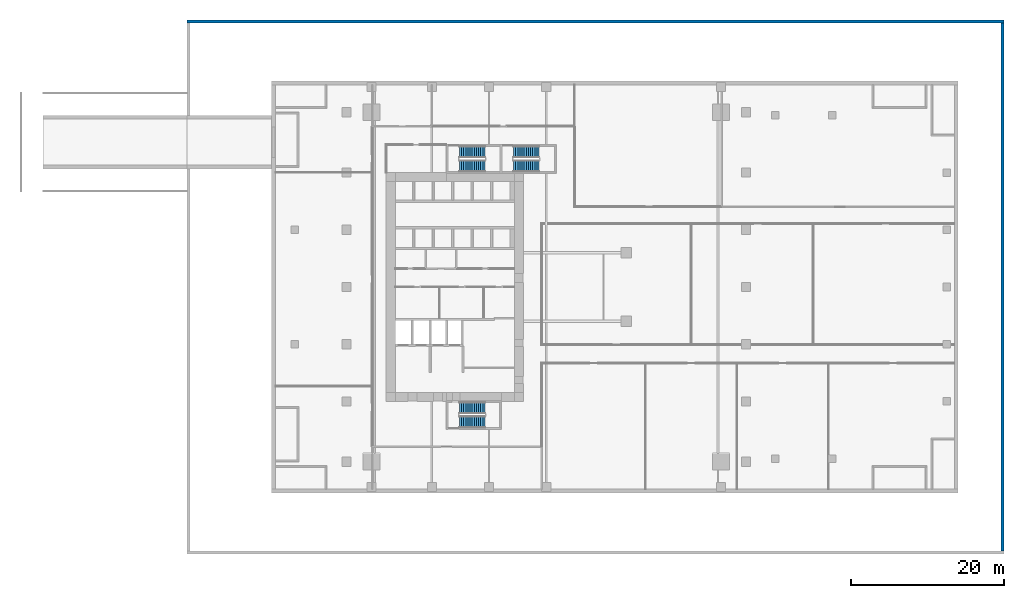
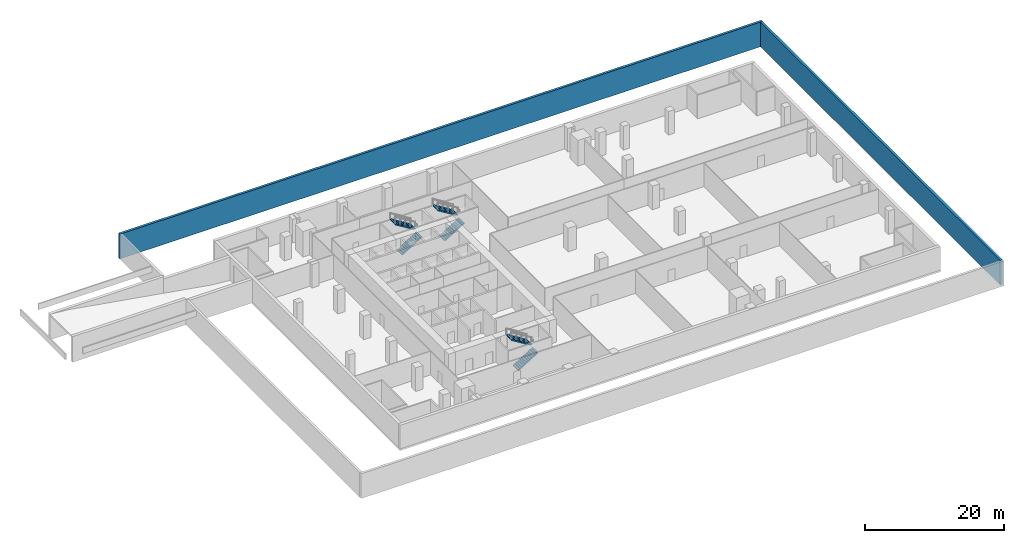
# One storey, part 8 of 11: 6 stair flights, 2 walls, 3 elements without a shape of their own.
"""IFC4 building model written with IfcOpenShell, lengths in metres."""

import ifcopenshell
import ifcopenshell.guid

model = None  # the IFC model being written
_history = None  # IfcOwnerHistory: only IFC2X3 demands one
_inside = {}  # id of a spatial element -> (the spatial element, [elements in it])
_under = {}  # id of a project, library or spatial element -> (it, [spatial elements below it])
_declared = {}  # id of a project -> (the project, [libraries it declares])
_typed = {}  # id of a type object -> (the type object, [elements of that type])
_made_of = {}  # id of a material, layer set ... -> (it, [elements and type objects made of it])


def new_model(schema):
    """Start an empty IFC model of exactly this schema.

    Asked for "IFC4X3", IfcOpenShell would pick the latest addendum, in which some entities
    have other attributes; the version numbers below select the first issue.
    IFC2X3 requires an IfcOwnerHistory on every rooted entity: one is made here for all.
    """
    global model, _history
    if schema == "IFC4X3":
        model = ifcopenshell.file(schema_version=(4, 3, 0, 0))
    else:
        model = ifcopenshell.file(schema=schema)
    _inside.clear()
    _under.clear()
    _declared.clear()
    _typed.clear()
    _made_of.clear()
    _history = None
    if model.schema == "IFC2X3":
        org = make("IfcOrganization", Name="unknown")
        user = make(
            "IfcPersonAndOrganization",
            ThePerson=make("IfcPerson", FamilyName="unknown"),
            TheOrganization=org,
        )
        app = make(
            "IfcApplication",
            ApplicationDeveloper=org,
            Version="unknown",
            ApplicationFullName="unknown",
            ApplicationIdentifier="unknown",
        )
        _history = make(
            "IfcOwnerHistory",
            OwningUser=user,
            OwningApplication=app,
            ChangeAction="ADDED",
            CreationDate=0,
        )
    return model


def make(cls, **values):
    """One entity of the class cls with the attributes given. An attribute that is None is left unset."""
    return model.create_entity(
        cls, **{name: value for name, value in values.items() if value is not None}
    )


def rooted(cls, **values):
    """An entity with a GlobalId (a new one), such as an element, a storey or a relation."""
    return make(cls, GlobalId=ifcopenshell.guid.new(), OwnerHistory=_history, **values)


def si_unit(unit_type, name, prefix=None):
    """IfcSIUnit, for example si_unit("LENGTHUNIT", "METRE", prefix="MILLI")."""
    return make("IfcSIUnit", UnitType=unit_type, Prefix=prefix, Name=name)


def assignment(units):
    """IfcUnitAssignment: the units of a project."""
    return None if units is None else make("IfcUnitAssignment", Units=units)


def point(xyz):
    """IfcCartesianPoint."""
    return None if xyz is None else make("IfcCartesianPoint", Coordinates=xyz)


def direction(xyz):
    """IfcDirection."""
    return None if xyz is None else make("IfcDirection", DirectionRatios=xyz)


def frame(location, z_axis=None, x_axis=None):
    """IfcAxis2Placement3D, a coordinate frame: its origin and axes. An axis left out is left unset."""
    return make(
        "IfcAxis2Placement3D",
        Location=point(location),
        Axis=direction(z_axis),
        RefDirection=direction(x_axis),
    )


def frame_2d(location, x_axis=None):
    """IfcAxis2Placement2D, a coordinate frame in the plane: its origin and x axis."""
    return make(
        "IfcAxis2Placement2D", Location=point(location), RefDirection=direction(x_axis)
    )


def origin():
    """The frame at (0, 0, 0) with its axes left unset."""
    return frame((0.0, 0.0, 0.0))


def place(relative_to, where):
    """IfcLocalPlacement: puts the frame where relative to a parent placement (None: the world)."""
    return make(
        "IfcLocalPlacement", PlacementRelTo=relative_to, RelativePlacement=where
    )


def context(
    kind, dimensions, precision=None, world=None, true_north=None, identifier=None
):
    """IfcGeometricRepresentationContext, for example the 3D "Model" context."""
    return make(
        "IfcGeometricRepresentationContext",
        ContextIdentifier=identifier,
        ContextType=kind,
        CoordinateSpaceDimension=dimensions,
        Precision=precision,
        WorldCoordinateSystem=world,
        TrueNorth=true_north,
    )


def subcontext(parent, identifier, kind, view, scale=None):
    """IfcGeometricRepresentationSubContext, for example "Body" below "Model"."""
    return make(
        "IfcGeometricRepresentationSubContext",
        ContextIdentifier=identifier,
        ContextType=kind,
        ParentContext=parent,
        TargetScale=scale,
        TargetView=view,
    )


def project(units=None, contexts=None):
    """IfcProject with its units and contexts."""
    return rooted(
        "IfcProject",
        Name="project",
        RepresentationContexts=contexts,
        UnitsInContext=assignment(units),
    )


def spatial(cls, under=None, at=None, **own):
    """A site, building, storey or space (cls), placed at a placement, below another one or the project."""
    s = rooted(cls, ObjectPlacement=at, **own)
    if under is not None:
        _under.setdefault(under.id(), (under, []))[1].append(s)
    return s


def polyline(points):
    """IfcPolyline through the points."""
    return make("IfcPolyline", Points=[point(p) for p in points])


def profile(cls, at=None, kind="AREA", **sizes):
    """A parametric profile (cls). Its sizes go by their IFC names, for example OverallWidth=200.0."""
    return make(cls, ProfileType=kind, Position=at, **sizes)


def rectangle(**sizes):
    """IfcRectangleProfileDef."""
    return profile("IfcRectangleProfileDef", **sizes)


def outline(outer, holes=None, kind="AREA"):
    """IfcArbitraryClosedProfileDef: a profile drawn as a closed curve; with holes, ...WithVoids."""
    if holes is None:
        return make("IfcArbitraryClosedProfileDef", ProfileType=kind, OuterCurve=outer)
    return make(
        "IfcArbitraryProfileDefWithVoids",
        ProfileType=kind,
        OuterCurve=outer,
        InnerCurves=holes,
    )


def extrude(swept, where, along, depth):
    """IfcExtrudedAreaSolid: the profile swept, set in the frame where, extruded along a direction by depth."""
    return make(
        "IfcExtrudedAreaSolid",
        SweptArea=swept,
        Position=where,
        ExtrudedDirection=direction(along),
        Depth=depth,
    )


def shape(context_of_items, identifier, shape_type, items):
    """IfcShapeRepresentation: the items that make up one representation, for example the "Body"."""
    return make(
        "IfcShapeRepresentation",
        ContextOfItems=context_of_items,
        RepresentationIdentifier=identifier,
        RepresentationType=shape_type,
        Items=items,
    )


def source(mapping_origin, context_of_items, identifier, shape_type, items):
    """IfcRepresentationMap: a shape defined once, which mapped items show again and again."""
    return make(
        "IfcRepresentationMap",
        MappingOrigin=mapping_origin,
        MappedRepresentation=shape(context_of_items, identifier, shape_type, items),
    )


def transform(
    local_origin,
    x_axis=None,
    y_axis=None,
    z_axis=None,
    scale=None,
    scale2=None,
    scale3=None,
    uniform=True,
):
    """IfcCartesianTransformationOperator3D, or its non-uniform kind. x_axis, y_axis, z_axis: its Axis1, 2, 3."""
    if uniform:
        return make(
            "IfcCartesianTransformationOperator3D",
            Axis1=direction(x_axis),
            Axis2=direction(y_axis),
            LocalOrigin=point(local_origin),
            Scale=scale,
            Axis3=direction(z_axis),
        )
    return make(
        "IfcCartesianTransformationOperator3DnonUniform",
        Axis1=direction(x_axis),
        Axis2=direction(y_axis),
        LocalOrigin=point(local_origin),
        Scale=scale,
        Axis3=direction(z_axis),
        Scale2=scale2,
        Scale3=scale3,
    )


def mapped(mapping_source, mapping_target):
    """IfcMappedItem: shows the shape of a source again, moved by a transform."""
    return make(
        "IfcMappedItem", MappingSource=mapping_source, MappingTarget=mapping_target
    )


def material(Name=None, Category=None):
    """IfcMaterial."""
    return make("IfcMaterial", Name=Name, Category=Category)


def layer(
    of_material, thickness, ventilated=None, Name=None, Category=None, Priority=None
):
    """IfcMaterialLayer: one layer of a wall or slab, of a material (None: an air gap)."""
    return make(
        "IfcMaterialLayer",
        Material=of_material,
        LayerThickness=thickness,
        IsVentilated=ventilated,
        Name=Name,
        Category=Category,
        Priority=Priority,
    )


def layer_set(layers, Name=None):
    """IfcMaterialLayerSet."""
    return make("IfcMaterialLayerSet", MaterialLayers=layers, LayerSetName=Name)


def made_of(thing, what):
    """Note that an element or type object is made of a material, layer set ...; save() writes the relation."""
    if what is not None:
        _made_of.setdefault(what.id(), (what, []))[1].append(thing)
    return thing


def type_object(cls, material=None, **own):
    """A type object (cls), such as IfcWallType, which elements share."""
    return made_of(rooted(cls, **own), material)


def element(
    cls,
    number,
    at=None,
    inside=None,
    cuts=None,
    type_object=None,
    material=None,
    context=None,
    identifier="Body",
    shape_type=None,
    held_by="IfcProductDefinitionShape",
    body=None,
    shapes=None,
    **own,
):
    """One element of the class cls, such as IfcWall. Its Tag is "e" and its number.

    at: its placement. inside: the storey or other place that contains it. cuts: it is an
    opening in that element (IfcRelVoidsElement). A single representation is given by context,
    identifier, shape_type and body (its items); several are given by shapes. held_by: the class
    of the entity that holds the representations. save() writes the other relations.
    """
    e = rooted(cls, Tag="e%d" % number, ObjectPlacement=at, **own)
    if body is not None:
        shapes = [shape(context, identifier, shape_type, body)]
    if shapes is not None:
        e.Representation = make(held_by, Representations=shapes)
    if inside is not None:
        _inside.setdefault(inside.id(), (inside, []))[1].append(e)
    if cuts is not None:
        rooted(
            "IfcRelVoidsElement", RelatingBuildingElement=cuts, RelatedOpeningElement=e
        )
    if type_object is not None:
        _typed.setdefault(type_object.id(), (type_object, []))[1].append(e)
    return made_of(e, material)


def aggregate(whole, parts):
    """IfcRelAggregates: a whole, such as a stair, and the parts it consists of."""
    return rooted("IfcRelAggregates", RelatingObject=whole, RelatedObjects=parts)


def save(model, path):
    """Write the relations noted so far, then the file.

    IfcRelAggregates (storeys below a building ...), IfcRelContainedInSpatialStructure (elements
    in a storey), IfcRelDefinesByType, IfcRelAssociatesMaterial and IfcRelDeclares: one each for
    every whole, place, type object, material and project.
    """
    for whole, parts in _under.values():
        aggregate(whole, parts)
    for where, things in _inside.values():
        rooted(
            "IfcRelContainedInSpatialStructure",
            RelatedElements=things,
            RelatingStructure=where,
        )
    for kind, things in _typed.values():
        rooted("IfcRelDefinesByType", RelatedObjects=things, RelatingType=kind)
    for what, things in _made_of.values():
        rooted("IfcRelAssociatesMaterial", RelatedObjects=things, RelatingMaterial=what)
    for by, libraries in _declared.values():
        rooted("IfcRelDeclares", RelatingContext=by, RelatedDefinitions=libraries)
    model.write(path)


model = new_model("IFC4")

# Units and contexts
model_context = context("Model", 3, precision=1e-05, world=origin(), true_north=direction((0.0, 1.0)))
body_context = subcontext(model_context, "Body", "Model", "MODEL_VIEW")
ifc_project = project(units=[si_unit("LENGTHUNIT", "METRE"), si_unit("AREAUNIT", "SQUARE_METRE"), si_unit("VOLUMEUNIT", "CUBIC_METRE"), si_unit("PLANEANGLEUNIT", "RADIAN"), si_unit("MASSUNIT", "GRAM", prefix="KILO")], contexts=[model_context])

# Site, building, storey
site_placement = place(None, origin())
site = spatial("IfcSite", under=ifc_project, at=site_placement, CompositionType="ELEMENT")
building_placement = place(site_placement, origin())
building = spatial("IfcBuilding", under=site, at=building_placement, Name="Khomas Fold Tower", CompositionType="ELEMENT")
storey_placement = place(building_placement, frame((0.0, 0.0, -4.5)))
storey = spatial("IfcBuildingStorey", under=building, at=storey_placement, Name="B1", CompositionType="ELEMENT", Elevation=-4.5)

# Walls
ifc_material_1 = material(Name="Concrete C40/50", Category="concrete")
ifc_layer = layer(ifc_material_1, 0.39990234375)
ifc_layer_set = layer_set([ifc_layer], Name="Concrete C40/50")
wall_type = type_object("IfcWallType", Name="Plaza retaining wall 400", PredefinedType="SOLIDWALL", material=ifc_layer_set)
shared_shape_1 = source(origin(), body_context, "Body", "SweptSolid", [
    extrude(rectangle(XDim=107.09814453125, YDim=0.39990234375, at=frame_2d((53.549072265625, 0.0))), origin(), (0.0, 0.0, 1.0), 4.35009765625),
])
wall_1_placement = place(storey_placement, frame((-20.09814453125, 61.800048828125, 0.0), z_axis=(0.0, 0.0, 1.0), x_axis=(1.0, 0.0, 0.0)))
element("IfcWall", 1, at=wall_1_placement, inside=storey, type_object=wall_type, Name="Plaza retaining wall", PredefinedType="SOLIDWALL", context=body_context, shape_type="MappedRepresentation", body=[
    mapped(shared_shape_1, transform((0.0, 0.0, 0.0))),
])
shared_shape_2 = source(origin(), body_context, "Body", "SweptSolid", [
    extrude(rectangle(XDim=69.2001953125, YDim=0.39990234375, at=frame_2d((34.60009765625, 0.0))), origin(), (0.0, 0.0, 1.0), 4.35009765625),
])
wall_2_placement = place(storey_placement, frame((86.800048828125, 61.60009765625, 0.0), z_axis=(0.0, 0.0, 1.0), x_axis=(0.0, -1.0, 0.0)))
element("IfcWall", 2, at=wall_2_placement, inside=storey, type_object=wall_type, Name="Plaza retaining wall", PredefinedType="SOLIDWALL", context=body_context, shape_type="MappedRepresentation", body=[
    mapped(shared_shape_2, transform((0.0, 0.0, 0.0))),
])

# Stair, stair flights
ifc_material_2 = material(Name="Concrete C40/50", Category="concrete")
stair_type_1 = type_object("IfcStairType", Name="Stair ST1", PredefinedType="HALF_TURN_STAIR", material=ifc_material_2)
stair_1_placement = place(storey_placement, origin())
stair_1 = element("IfcStair", 3, at=stair_1_placement, inside=storey, type_object=stair_type_1, Name="B1 ST1", PredefinedType="HALF_TURN_STAIR")
ifc_material_3 = material(Name="Concrete C40/50", Category="concrete")
stair_flight_type_1 = type_object("IfcStairFlightType", Name="Stair flight 1500 ST1", PredefinedType="STRAIGHT", material=ifc_material_3)
shared_shape_3 = source(origin(), body_context, "Body", "SweptSolid", [
    extrude(outline(polyline([(0.0, 0.0), (0.0, 0.013427734375), (0.0, 0.026611328125), (0.0, 0.0400390625), (0.0, 0.05322265625), (0.0, 0.066650390625), (0.0, 0.079833984375), (0.0, 0.09326171875), (0.0, 0.1064453125), (0.0, 0.119873046875), (0.0, 0.133056640625), (0.0, 0.146484375), (0.0, 0.15966796875), (0.0, 0.173095703125), (0.280029296875, 0.173095703125), (0.280029296875, 0.34619140625), (0.56005859375, 0.34619140625), (0.56005859375, 0.519287109375), (0.840087890625, 0.519287109375), (0.840087890625, 0.6923828125), (1.1201171875, 0.6923828125), (1.1201171875, 0.865478515625), (1.39990234375, 0.865478515625), (1.39990234375, 1.03857421875), (1.679931640625, 1.03857421875), (1.679931640625, 1.21142578125), (1.9599609375, 1.21142578125), (1.9599609375, 1.384521484375), (2.239990234375, 1.384521484375), (2.239990234375, 1.5576171875), (2.52001953125, 1.5576171875), (2.52001953125, 1.730712890625), (2.800048828125, 1.730712890625), (2.800048828125, 1.90380859375), (3.080078125, 1.90380859375), (3.080078125, 2.076904296875), (3.360107421875, 2.076904296875), (3.360107421875, 2.25), (3.360107421875, 2.22314453125), (3.360107421875, 2.1962890625), (3.360107421875, 2.16943359375), (3.360107421875, 2.142578125), (3.360107421875, 2.11572265625), (3.360107421875, 2.0888671875), (3.360107421875, 2.06201171875), (3.360107421875, 2.03515625), (3.360107421875, 2.008056640625), (3.360107421875, 1.981201171875), (3.360107421875, 1.954345703125), (3.360107421875, 1.927490234375), (3.360107421875, 1.900634765625), (0.28515625, 0.0), (0.0, 0.0)])), frame((0.0, 0.75, 0.0), z_axis=(0.0, -1.0, 0.0), x_axis=(1.0, 0.0, 0.0)), (0.0, 0.0, 1.0), 1.5),
])
stair_flight_1_placement = place(storey_placement, frame((15.60009765625, 42.85009765625, 0.0), z_axis=(0.0, 0.0, 1.0), x_axis=(1.0, 0.0, 0.0)))
stair_flight_1 = element("IfcStairFlight", 4, at=stair_flight_1_placement, type_object=stair_flight_type_1, Name="ST1 flight 1", NumberOfRisers=13, NumberOfTreads=12, PredefinedType="STRAIGHT", RiserHeight=0.173076923, TreadLength=0.28, context=body_context, shape_type="MappedRepresentation", body=[
    mapped(shared_shape_3, transform((0.0, 0.0, 0.0))),
])
stair_flight_2_placement = place(storey_placement, frame((18.9599609375, 44.699951171875, 2.25), z_axis=(0.0, 0.0, 1.0), x_axis=(-1.0, 0.0, 0.0)))
stair_flight_2 = element("IfcStairFlight", 5, at=stair_flight_2_placement, type_object=stair_flight_type_1, Name="ST1 flight 2", NumberOfRisers=13, NumberOfTreads=12, PredefinedType="STRAIGHT", RiserHeight=0.173076923, TreadLength=0.28, context=body_context, shape_type="MappedRepresentation", body=[
    mapped(shared_shape_3, transform((0.0, 0.0, 0.0))),
])
aggregate(stair_1, [stair_flight_1, stair_flight_2])

ifc_material_4 = material(Name="Concrete C40/50", Category="concrete")
stair_type_2 = type_object("IfcStairType", Name="Stair ST2", PredefinedType="HALF_TURN_STAIR", material=ifc_material_4)
stair_2_placement = place(storey_placement, origin())
stair_2 = element("IfcStair", 6, at=stair_2_placement, inside=storey, type_object=stair_type_2, Name="B1 ST2", PredefinedType="HALF_TURN_STAIR")
ifc_material_5 = material(Name="Concrete C40/50", Category="concrete")
stair_flight_type_2 = type_object("IfcStairFlightType", Name="Stair flight 1500 ST2", PredefinedType="STRAIGHT", material=ifc_material_5)
stair_flight_3_placement = place(storey_placement, frame((15.60009765625, 9.300048828125, 0.0), z_axis=(0.0, 0.0, 1.0), x_axis=(1.0, 0.0, 0.0)))
stair_flight_3 = element("IfcStairFlight", 7, at=stair_flight_3_placement, type_object=stair_flight_type_2, Name="ST2 flight 1", NumberOfRisers=13, NumberOfTreads=12, PredefinedType="STRAIGHT", RiserHeight=0.173076923, TreadLength=0.28, context=body_context, shape_type="MappedRepresentation", body=[
    mapped(shared_shape_3, transform((0.0, 0.0, 0.0))),
])
stair_flight_4_placement = place(storey_placement, frame((18.9599609375, 11.14990234375, 2.25), z_axis=(0.0, 0.0, 1.0), x_axis=(-1.0, 0.0, 0.0)))
stair_flight_4 = element("IfcStairFlight", 8, at=stair_flight_4_placement, type_object=stair_flight_type_2, Name="ST2 flight 2", NumberOfRisers=13, NumberOfTreads=12, PredefinedType="STRAIGHT", RiserHeight=0.173076923, TreadLength=0.28, context=body_context, shape_type="MappedRepresentation", body=[
    mapped(shared_shape_3, transform((0.0, 0.0, 0.0))),
])
aggregate(stair_2, [stair_flight_3, stair_flight_4])

ifc_material_6 = material(Name="Concrete C40/50", Category="concrete")
stair_type_3 = type_object("IfcStairType", Name="Stair ST3", PredefinedType="HALF_TURN_STAIR", material=ifc_material_6)
stair_3_placement = place(storey_placement, origin())
stair_3 = element("IfcStair", 9, at=stair_3_placement, inside=storey, type_object=stair_type_3, Name="B1 ST3", PredefinedType="HALF_TURN_STAIR")
ifc_material_7 = material(Name="Concrete C40/50", Category="concrete")
stair_flight_type_3 = type_object("IfcStairFlightType", Name="Stair flight 1500 ST3", PredefinedType="STRAIGHT", material=ifc_material_7)
stair_flight_5_placement = place(storey_placement, frame((22.699951171875, 42.85009765625, 0.0), z_axis=(0.0, 0.0, 1.0), x_axis=(1.0, 0.0, 0.0)))
stair_flight_5 = element("IfcStairFlight", 10, at=stair_flight_5_placement, type_object=stair_flight_type_3, Name="ST3 flight 1", NumberOfRisers=13, NumberOfTreads=12, PredefinedType="STRAIGHT", RiserHeight=0.173076923, TreadLength=0.28, context=body_context, shape_type="MappedRepresentation", body=[
    mapped(shared_shape_3, transform((0.0, 0.0, 0.0))),
])
stair_flight_6_placement = place(storey_placement, frame((26.06005859375, 44.699951171875, 2.25), z_axis=(0.0, 0.0, 1.0), x_axis=(-1.0, 0.0, 0.0)))
stair_flight_6 = element("IfcStairFlight", 11, at=stair_flight_6_placement, type_object=stair_flight_type_3, Name="ST3 flight 2", NumberOfRisers=13, NumberOfTreads=12, PredefinedType="STRAIGHT", RiserHeight=0.173076923, TreadLength=0.28, context=body_context, shape_type="MappedRepresentation", body=[
    mapped(shared_shape_3, transform((0.0, 0.0, 0.0))),
])
aggregate(stair_3, [stair_flight_5, stair_flight_6])

save(model, "model.ifc")
